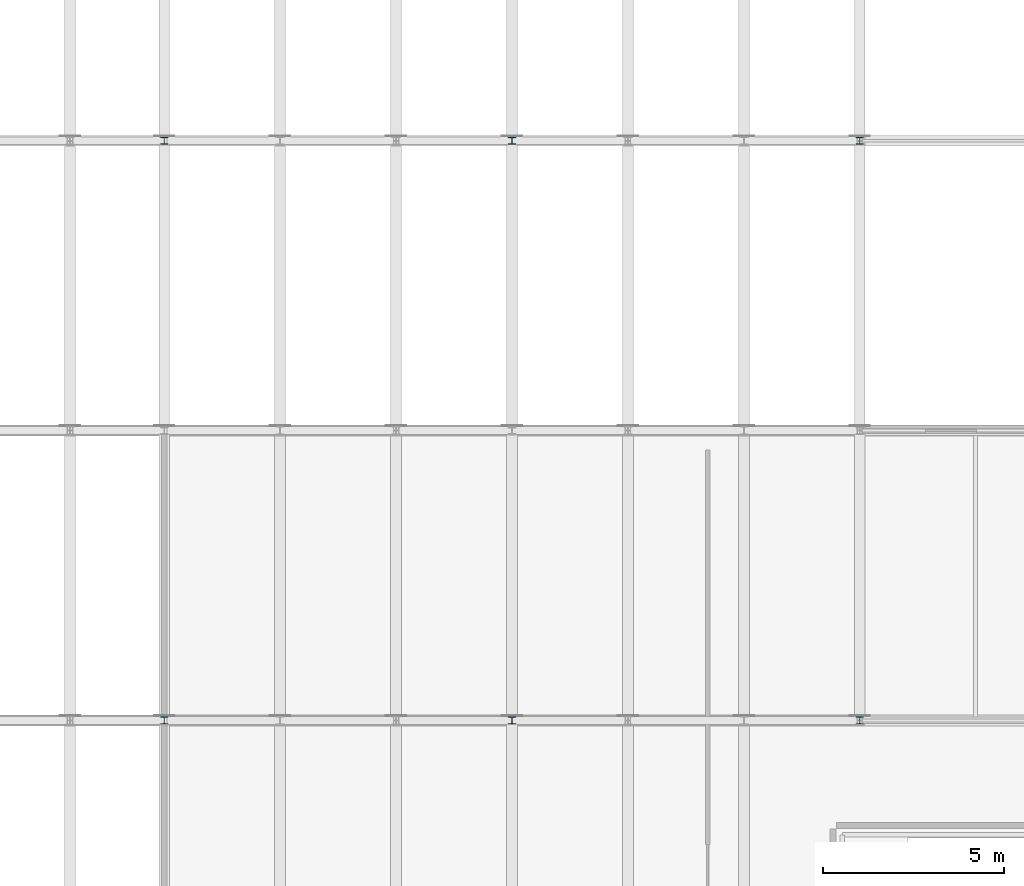
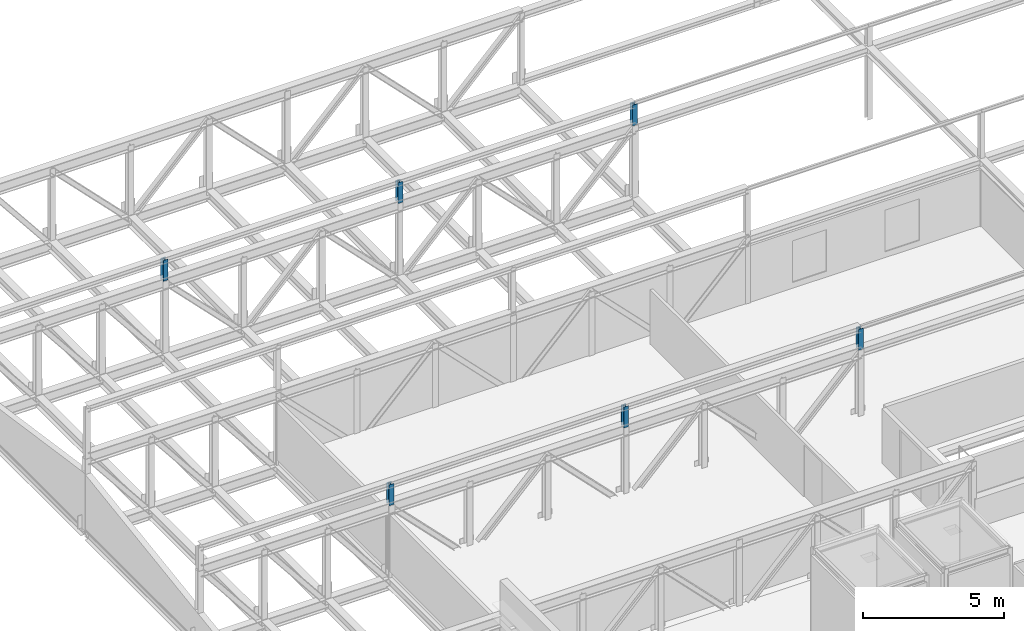
# One storey, part 9 of 34: 6 columns.
"""IFC4 building model written with IfcOpenShell, lengths in metres."""

import ifcopenshell
import ifcopenshell.guid

model = None  # the IFC model being written
_history = None  # IfcOwnerHistory: only IFC2X3 demands one
_inside = {}  # id of a spatial element -> (the spatial element, [elements in it])
_under = {}  # id of a project, library or spatial element -> (it, [spatial elements below it])
_declared = {}  # id of a project -> (the project, [libraries it declares])
_typed = {}  # id of a type object -> (the type object, [elements of that type])
_made_of = {}  # id of a material, layer set ... -> (it, [elements and type objects made of it])


def new_model(schema):
    """Start an empty IFC model of exactly this schema.

    Asked for "IFC4X3", IfcOpenShell would pick the latest addendum, in which some entities
    have other attributes; the version numbers below select the first issue.
    IFC2X3 requires an IfcOwnerHistory on every rooted entity: one is made here for all.
    """
    global model, _history
    if schema == "IFC4X3":
        model = ifcopenshell.file(schema_version=(4, 3, 0, 0))
    else:
        model = ifcopenshell.file(schema=schema)
    _inside.clear()
    _under.clear()
    _declared.clear()
    _typed.clear()
    _made_of.clear()
    _history = None
    if model.schema == "IFC2X3":
        org = make("IfcOrganization", Name="unknown")
        user = make(
            "IfcPersonAndOrganization",
            ThePerson=make("IfcPerson", FamilyName="unknown"),
            TheOrganization=org,
        )
        app = make(
            "IfcApplication",
            ApplicationDeveloper=org,
            Version="unknown",
            ApplicationFullName="unknown",
            ApplicationIdentifier="unknown",
        )
        _history = make(
            "IfcOwnerHistory",
            OwningUser=user,
            OwningApplication=app,
            ChangeAction="ADDED",
            CreationDate=0,
        )
    return model


def make(cls, **values):
    """One entity of the class cls with the attributes given. An attribute that is None is left unset."""
    return model.create_entity(
        cls, **{name: value for name, value in values.items() if value is not None}
    )


def rooted(cls, **values):
    """An entity with a GlobalId (a new one), such as an element, a storey or a relation."""
    return make(cls, GlobalId=ifcopenshell.guid.new(), OwnerHistory=_history, **values)


def si_unit(unit_type, name, prefix=None):
    """IfcSIUnit, for example si_unit("LENGTHUNIT", "METRE", prefix="MILLI")."""
    return make("IfcSIUnit", UnitType=unit_type, Prefix=prefix, Name=name)


def assignment(units):
    """IfcUnitAssignment: the units of a project."""
    return None if units is None else make("IfcUnitAssignment", Units=units)


def point(xyz):
    """IfcCartesianPoint."""
    return None if xyz is None else make("IfcCartesianPoint", Coordinates=xyz)


def direction(xyz):
    """IfcDirection."""
    return None if xyz is None else make("IfcDirection", DirectionRatios=xyz)


def frame(location, z_axis=None, x_axis=None):
    """IfcAxis2Placement3D, a coordinate frame: its origin and axes. An axis left out is left unset."""
    return make(
        "IfcAxis2Placement3D",
        Location=point(location),
        Axis=direction(z_axis),
        RefDirection=direction(x_axis),
    )


def frame_2d(location, x_axis=None):
    """IfcAxis2Placement2D, a coordinate frame in the plane: its origin and x axis."""
    return make(
        "IfcAxis2Placement2D", Location=point(location), RefDirection=direction(x_axis)
    )


def origin():
    """The frame at (0, 0, 0) with its axes left unset."""
    return frame((0.0, 0.0, 0.0))


def origin_2d():
    """The frame at (0, 0) in the plane with its x axis left unset."""
    return frame_2d((0.0, 0.0))


def place(relative_to, where):
    """IfcLocalPlacement: puts the frame where relative to a parent placement (None: the world)."""
    return make(
        "IfcLocalPlacement", PlacementRelTo=relative_to, RelativePlacement=where
    )


def context(
    kind, dimensions, precision=None, world=None, true_north=None, identifier=None
):
    """IfcGeometricRepresentationContext, for example the 3D "Model" context."""
    return make(
        "IfcGeometricRepresentationContext",
        ContextIdentifier=identifier,
        ContextType=kind,
        CoordinateSpaceDimension=dimensions,
        Precision=precision,
        WorldCoordinateSystem=world,
        TrueNorth=true_north,
    )


def subcontext(parent, identifier, kind, view, scale=None):
    """IfcGeometricRepresentationSubContext, for example "Body" below "Model"."""
    return make(
        "IfcGeometricRepresentationSubContext",
        ContextIdentifier=identifier,
        ContextType=kind,
        ParentContext=parent,
        TargetScale=scale,
        TargetView=view,
    )


def project(units=None, contexts=None):
    """IfcProject with its units and contexts."""
    return rooted(
        "IfcProject",
        Name="project",
        RepresentationContexts=contexts,
        UnitsInContext=assignment(units),
    )


def spatial(cls, under=None, at=None, **own):
    """A site, building, storey or space (cls), placed at a placement, below another one or the project."""
    s = rooted(cls, ObjectPlacement=at, **own)
    if under is not None:
        _under.setdefault(under.id(), (under, []))[1].append(s)
    return s


def profile(cls, at=None, kind="AREA", **sizes):
    """A parametric profile (cls). Its sizes go by their IFC names, for example OverallWidth=200.0."""
    return make(cls, ProfileType=kind, Position=at, **sizes)


def i_section(**sizes):
    """IfcIShapeProfileDef."""
    return profile("IfcIShapeProfileDef", **sizes)


def extrude(swept, where, along, depth):
    """IfcExtrudedAreaSolid: the profile swept, set in the frame where, extruded along a direction by depth."""
    return make(
        "IfcExtrudedAreaSolid",
        SweptArea=swept,
        Position=where,
        ExtrudedDirection=direction(along),
        Depth=depth,
    )


def shape(context_of_items, identifier, shape_type, items):
    """IfcShapeRepresentation: the items that make up one representation, for example the "Body"."""
    return make(
        "IfcShapeRepresentation",
        ContextOfItems=context_of_items,
        RepresentationIdentifier=identifier,
        RepresentationType=shape_type,
        Items=items,
    )


def material(Name=None, Category=None):
    """IfcMaterial."""
    return make("IfcMaterial", Name=Name, Category=Category)


def material_profile(
    of_material, cross_section, Name=None, Category=None, Priority=None
):
    """IfcMaterialProfile: a cross section and its material."""
    return make(
        "IfcMaterialProfile",
        Name=Name,
        Material=of_material,
        Profile=cross_section,
        Priority=Priority,
        Category=Category,
    )


def profile_set(profiles, Name=None, composite=None):
    """IfcMaterialProfileSet."""
    return make(
        "IfcMaterialProfileSet",
        Name=Name,
        MaterialProfiles=profiles,
        CompositeProfile=composite,
    )


def made_of(thing, what):
    """Note that an element or type object is made of a material, layer set ...; save() writes the relation."""
    if what is not None:
        _made_of.setdefault(what.id(), (what, []))[1].append(thing)
    return thing


def type_object(cls, material=None, **own):
    """A type object (cls), such as IfcWallType, which elements share."""
    return made_of(rooted(cls, **own), material)


def element(
    cls,
    number,
    at=None,
    inside=None,
    cuts=None,
    type_object=None,
    material=None,
    context=None,
    identifier="Body",
    shape_type=None,
    held_by="IfcProductDefinitionShape",
    body=None,
    shapes=None,
    **own,
):
    """One element of the class cls, such as IfcWall. Its Tag is "e" and its number.

    at: its placement. inside: the storey or other place that contains it. cuts: it is an
    opening in that element (IfcRelVoidsElement). A single representation is given by context,
    identifier, shape_type and body (its items); several are given by shapes. held_by: the class
    of the entity that holds the representations. save() writes the other relations.
    """
    e = rooted(cls, Tag="e%d" % number, ObjectPlacement=at, **own)
    if body is not None:
        shapes = [shape(context, identifier, shape_type, body)]
    if shapes is not None:
        e.Representation = make(held_by, Representations=shapes)
    if inside is not None:
        _inside.setdefault(inside.id(), (inside, []))[1].append(e)
    if cuts is not None:
        rooted(
            "IfcRelVoidsElement", RelatingBuildingElement=cuts, RelatedOpeningElement=e
        )
    if type_object is not None:
        _typed.setdefault(type_object.id(), (type_object, []))[1].append(e)
    return made_of(e, material)


def aggregate(whole, parts):
    """IfcRelAggregates: a whole, such as a stair, and the parts it consists of."""
    return rooted("IfcRelAggregates", RelatingObject=whole, RelatedObjects=parts)


def save(model, path):
    """Write the relations noted so far, then the file.

    IfcRelAggregates (storeys below a building ...), IfcRelContainedInSpatialStructure (elements
    in a storey), IfcRelDefinesByType, IfcRelAssociatesMaterial and IfcRelDeclares: one each for
    every whole, place, type object, material and project.
    """
    for whole, parts in _under.values():
        aggregate(whole, parts)
    for where, things in _inside.values():
        rooted(
            "IfcRelContainedInSpatialStructure",
            RelatedElements=things,
            RelatingStructure=where,
        )
    for kind, things in _typed.values():
        rooted("IfcRelDefinesByType", RelatedObjects=things, RelatingType=kind)
    for what, things in _made_of.values():
        rooted("IfcRelAssociatesMaterial", RelatedObjects=things, RelatingMaterial=what)
    for by, libraries in _declared.values():
        rooted("IfcRelDeclares", RelatingContext=by, RelatedDefinitions=libraries)
    model.write(path)


model = new_model("IFC4")

# Units and contexts
model_context = context("Model", 3, precision=1e-05, world=origin(), true_north=direction((0.0, 1.0)))
body_context = subcontext(model_context, "Body", "Model", "MODEL_VIEW")
ifc_project = project(units=[si_unit("LENGTHUNIT", "METRE"), si_unit("AREAUNIT", "SQUARE_METRE"), si_unit("VOLUMEUNIT", "CUBIC_METRE"), si_unit("PLANEANGLEUNIT", "RADIAN"), si_unit("MASSUNIT", "GRAM", prefix="KILO")], contexts=[model_context])

# Site, building, storey
site_placement = place(None, origin())
site = spatial("IfcSite", under=ifc_project, at=site_placement, CompositionType="ELEMENT")
building_placement = place(site_placement, origin())
building = spatial("IfcBuilding", under=site, at=building_placement, Name="Alderhovde Museum", CompositionType="ELEMENT")
storey_placement = place(building_placement, frame((0.0, 0.0, 25.800048828125)))
storey = spatial("IfcBuildingStorey", under=building, at=storey_placement, Name="L05", CompositionType="ELEMENT", Elevation=25.800048828125)

# Columns
ifc_material = material(Name="Steel S355J2", Category="steel")
ifc_material_profile = material_profile(ifc_material, i_section(OverallWidth=0.199951171875, OverallDepth=0.18994140625, WebThickness=0.006591796875, FlangeThickness=0.010009765625, FilletRadius=0.01806640625, at=origin_2d()), Name="HEA 200")
ifc_profile_set = profile_set([ifc_material_profile], Name="Steel S355J2")
column_type = type_object("IfcColumnType", Name="COL-HEA200", PredefinedType="COLUMN", material=ifc_profile_set)
for number, where, z_axis, x_axis, name in (
    (1, (9.60009765625, 88.0, 2.849853515625), (0.0, 0.0, 1.0), (1.0, 0.0, 0.0), "Vol 4 Roof Post X=9.6 Y=88"),
    (2, (9.60009765625, 104.0, 2.849853515625), (0.0, 0.0, 1.0), (1.0, 0.0, 0.0), "Vol 4 Roof Post X=9.6 Y=104"),
    (3, (19.199951171875, 88.0, 2.849853515625), (0.0, 0.0, 1.0), (1.0, 0.0, 0.0), "Vol 4 Roof Post X=19.2 Y=88"),
    (4, (19.199951171875, 104.0, 2.849853515625), (0.0, 0.0, 1.0), (1.0, 0.0, 0.0), "Vol 4 Roof Post X=19.2 Y=104"),
    (5, (28.800048828125, 88.0, 2.849853515625), (0.0, 0.0, 1.0), (1.0, 0.0, 0.0), "Vol 4 Roof Post X=28.8 Y=88"),
    (6, (28.800048828125, 104.0, 2.849853515625), (0.0, 0.0, 1.0), (1.0, 0.0, 0.0), "Vol 4 Roof Post X=28.8 Y=104"),
):
    element("IfcColumn", number, at=place(storey_placement, frame(where, z_axis=z_axis, x_axis=x_axis)), inside=storey, type_object=column_type, Name=name, PredefinedType="COLUMN", context=body_context, shape_type="SweptSolid", body=[
        extrude(i_section(OverallWidth=0.199951171875, OverallDepth=0.18994140625, WebThickness=0.006591796875, FlangeThickness=0.010009765625, FilletRadius=0.01806640625, at=origin_2d()), origin(), (0.0, 0.0, 1.0), 0.900146484375),
    ])

save(model, "model.ifc")
